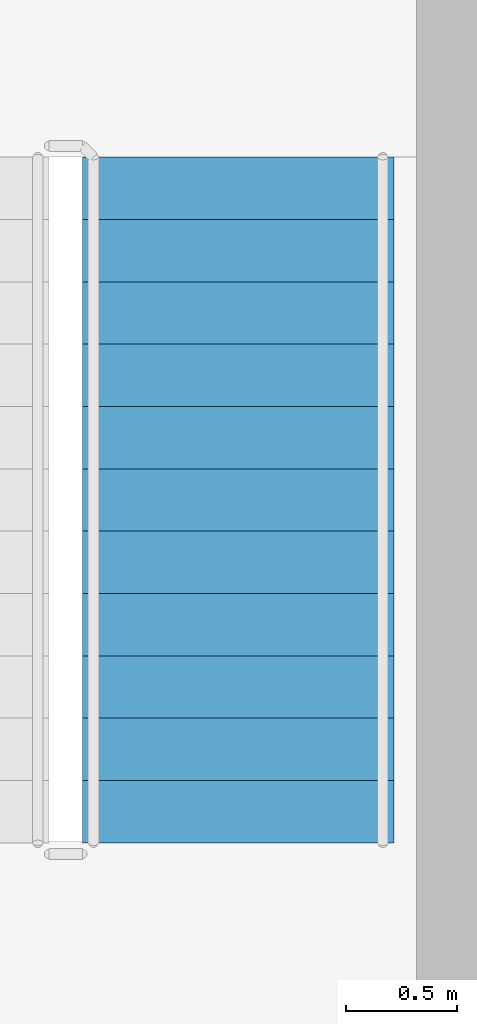
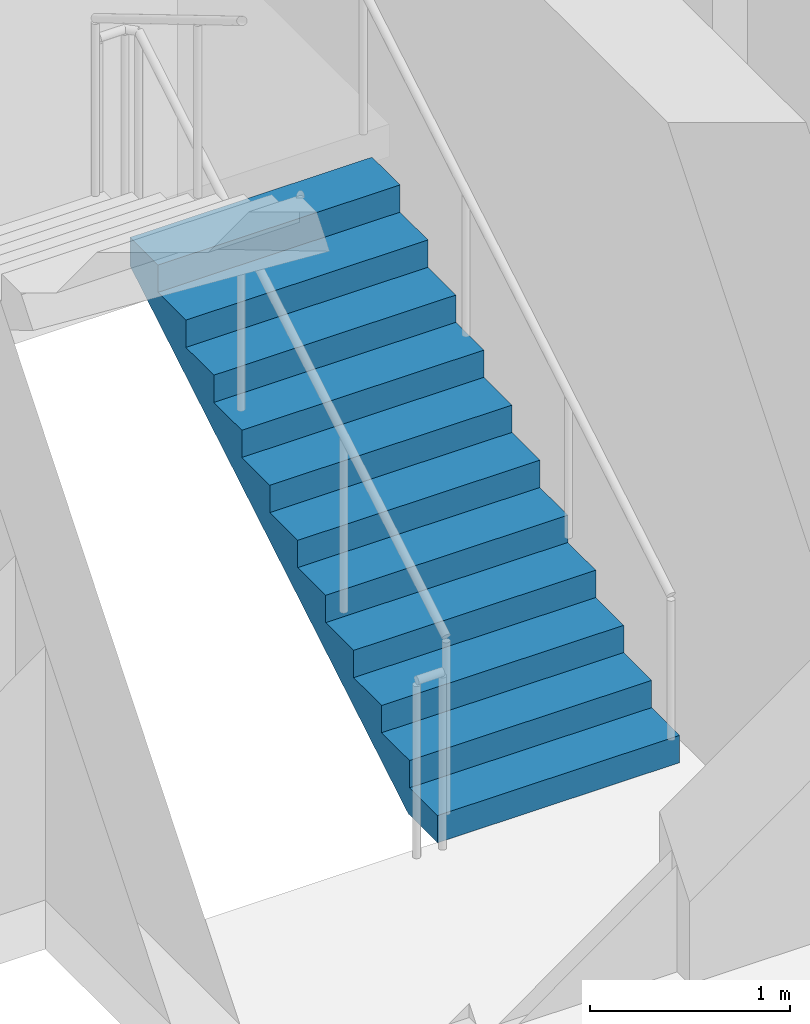
# One storey, part 11 of 16: 1 stair flight, 1 element without a shape of its own.
"""IFC4 building model written with IfcOpenShell, lengths in metres."""

import ifcopenshell
import ifcopenshell.guid

model = None  # the IFC model being written
_history = None  # IfcOwnerHistory: only IFC2X3 demands one
_inside = {}  # id of a spatial element -> (the spatial element, [elements in it])
_under = {}  # id of a project, library or spatial element -> (it, [spatial elements below it])
_declared = {}  # id of a project -> (the project, [libraries it declares])
_typed = {}  # id of a type object -> (the type object, [elements of that type])
_made_of = {}  # id of a material, layer set ... -> (it, [elements and type objects made of it])


def new_model(schema):
    """Start an empty IFC model of exactly this schema.

    Asked for "IFC4X3", IfcOpenShell would pick the latest addendum, in which some entities
    have other attributes; the version numbers below select the first issue.
    IFC2X3 requires an IfcOwnerHistory on every rooted entity: one is made here for all.
    """
    global model, _history
    if schema == "IFC4X3":
        model = ifcopenshell.file(schema_version=(4, 3, 0, 0))
    else:
        model = ifcopenshell.file(schema=schema)
    _inside.clear()
    _under.clear()
    _declared.clear()
    _typed.clear()
    _made_of.clear()
    _history = None
    if model.schema == "IFC2X3":
        org = make("IfcOrganization", Name="unknown")
        user = make(
            "IfcPersonAndOrganization",
            ThePerson=make("IfcPerson", FamilyName="unknown"),
            TheOrganization=org,
        )
        app = make(
            "IfcApplication",
            ApplicationDeveloper=org,
            Version="unknown",
            ApplicationFullName="unknown",
            ApplicationIdentifier="unknown",
        )
        _history = make(
            "IfcOwnerHistory",
            OwningUser=user,
            OwningApplication=app,
            ChangeAction="ADDED",
            CreationDate=0,
        )
    return model


def make(cls, **values):
    """One entity of the class cls with the attributes given. An attribute that is None is left unset."""
    return model.create_entity(
        cls, **{name: value for name, value in values.items() if value is not None}
    )


def rooted(cls, **values):
    """An entity with a GlobalId (a new one), such as an element, a storey or a relation."""
    return make(cls, GlobalId=ifcopenshell.guid.new(), OwnerHistory=_history, **values)


def si_unit(unit_type, name, prefix=None):
    """IfcSIUnit, for example si_unit("LENGTHUNIT", "METRE", prefix="MILLI")."""
    return make("IfcSIUnit", UnitType=unit_type, Prefix=prefix, Name=name)


def assignment(units):
    """IfcUnitAssignment: the units of a project."""
    return None if units is None else make("IfcUnitAssignment", Units=units)


def point(xyz):
    """IfcCartesianPoint."""
    return None if xyz is None else make("IfcCartesianPoint", Coordinates=xyz)


def direction(xyz):
    """IfcDirection."""
    return None if xyz is None else make("IfcDirection", DirectionRatios=xyz)


def frame(location, z_axis=None, x_axis=None):
    """IfcAxis2Placement3D, a coordinate frame: its origin and axes. An axis left out is left unset."""
    return make(
        "IfcAxis2Placement3D",
        Location=point(location),
        Axis=direction(z_axis),
        RefDirection=direction(x_axis),
    )


def origin():
    """The frame at (0, 0, 0) with its axes left unset."""
    return frame((0.0, 0.0, 0.0))


def place(relative_to, where):
    """IfcLocalPlacement: puts the frame where relative to a parent placement (None: the world)."""
    return make(
        "IfcLocalPlacement", PlacementRelTo=relative_to, RelativePlacement=where
    )


def context(
    kind, dimensions, precision=None, world=None, true_north=None, identifier=None
):
    """IfcGeometricRepresentationContext, for example the 3D "Model" context."""
    return make(
        "IfcGeometricRepresentationContext",
        ContextIdentifier=identifier,
        ContextType=kind,
        CoordinateSpaceDimension=dimensions,
        Precision=precision,
        WorldCoordinateSystem=world,
        TrueNorth=true_north,
    )


def subcontext(parent, identifier, kind, view, scale=None):
    """IfcGeometricRepresentationSubContext, for example "Body" below "Model"."""
    return make(
        "IfcGeometricRepresentationSubContext",
        ContextIdentifier=identifier,
        ContextType=kind,
        ParentContext=parent,
        TargetScale=scale,
        TargetView=view,
    )


def project(units=None, contexts=None):
    """IfcProject with its units and contexts."""
    return rooted(
        "IfcProject",
        Name="project",
        RepresentationContexts=contexts,
        UnitsInContext=assignment(units),
    )


def spatial(cls, under=None, at=None, **own):
    """A site, building, storey or space (cls), placed at a placement, below another one or the project."""
    s = rooted(cls, ObjectPlacement=at, **own)
    if under is not None:
        _under.setdefault(under.id(), (under, []))[1].append(s)
    return s


def polyline(points):
    """IfcPolyline through the points."""
    return make("IfcPolyline", Points=[point(p) for p in points])


def outline(outer, holes=None, kind="AREA"):
    """IfcArbitraryClosedProfileDef: a profile drawn as a closed curve; with holes, ...WithVoids."""
    if holes is None:
        return make("IfcArbitraryClosedProfileDef", ProfileType=kind, OuterCurve=outer)
    return make(
        "IfcArbitraryProfileDefWithVoids",
        ProfileType=kind,
        OuterCurve=outer,
        InnerCurves=holes,
    )


def extrude(swept, where, along, depth):
    """IfcExtrudedAreaSolid: the profile swept, set in the frame where, extruded along a direction by depth."""
    return make(
        "IfcExtrudedAreaSolid",
        SweptArea=swept,
        Position=where,
        ExtrudedDirection=direction(along),
        Depth=depth,
    )


def shape(context_of_items, identifier, shape_type, items):
    """IfcShapeRepresentation: the items that make up one representation, for example the "Body"."""
    return make(
        "IfcShapeRepresentation",
        ContextOfItems=context_of_items,
        RepresentationIdentifier=identifier,
        RepresentationType=shape_type,
        Items=items,
    )


def material(Name=None, Category=None):
    """IfcMaterial."""
    return make("IfcMaterial", Name=Name, Category=Category)


def made_of(thing, what):
    """Note that an element or type object is made of a material, layer set ...; save() writes the relation."""
    if what is not None:
        _made_of.setdefault(what.id(), (what, []))[1].append(thing)
    return thing


def type_object(cls, material=None, **own):
    """A type object (cls), such as IfcWallType, which elements share."""
    return made_of(rooted(cls, **own), material)


def element(
    cls,
    number,
    at=None,
    inside=None,
    cuts=None,
    type_object=None,
    material=None,
    context=None,
    identifier="Body",
    shape_type=None,
    held_by="IfcProductDefinitionShape",
    body=None,
    shapes=None,
    **own,
):
    """One element of the class cls, such as IfcWall. Its Tag is "e" and its number.

    at: its placement. inside: the storey or other place that contains it. cuts: it is an
    opening in that element (IfcRelVoidsElement). A single representation is given by context,
    identifier, shape_type and body (its items); several are given by shapes. held_by: the class
    of the entity that holds the representations. save() writes the other relations.
    """
    e = rooted(cls, Tag="e%d" % number, ObjectPlacement=at, **own)
    if body is not None:
        shapes = [shape(context, identifier, shape_type, body)]
    if shapes is not None:
        e.Representation = make(held_by, Representations=shapes)
    if inside is not None:
        _inside.setdefault(inside.id(), (inside, []))[1].append(e)
    if cuts is not None:
        rooted(
            "IfcRelVoidsElement", RelatingBuildingElement=cuts, RelatedOpeningElement=e
        )
    if type_object is not None:
        _typed.setdefault(type_object.id(), (type_object, []))[1].append(e)
    return made_of(e, material)


def aggregate(whole, parts):
    """IfcRelAggregates: a whole, such as a stair, and the parts it consists of."""
    return rooted("IfcRelAggregates", RelatingObject=whole, RelatedObjects=parts)


def save(model, path):
    """Write the relations noted so far, then the file.

    IfcRelAggregates (storeys below a building ...), IfcRelContainedInSpatialStructure (elements
    in a storey), IfcRelDefinesByType, IfcRelAssociatesMaterial and IfcRelDeclares: one each for
    every whole, place, type object, material and project.
    """
    for whole, parts in _under.values():
        aggregate(whole, parts)
    for where, things in _inside.values():
        rooted(
            "IfcRelContainedInSpatialStructure",
            RelatedElements=things,
            RelatingStructure=where,
        )
    for kind, things in _typed.values():
        rooted("IfcRelDefinesByType", RelatedObjects=things, RelatingType=kind)
    for what, things in _made_of.values():
        rooted("IfcRelAssociatesMaterial", RelatedObjects=things, RelatingMaterial=what)
    for by, libraries in _declared.values():
        rooted("IfcRelDeclares", RelatingContext=by, RelatedDefinitions=libraries)
    model.write(path)


model = new_model("IFC4")

# Units and contexts
model_context = context("Model", 3, precision=1e-05, world=origin(), true_north=direction((0.0, 1.0)))
body_context = subcontext(model_context, "Body", "Model", "MODEL_VIEW")
ifc_project = project(units=[si_unit("LENGTHUNIT", "METRE"), si_unit("AREAUNIT", "SQUARE_METRE"), si_unit("VOLUMEUNIT", "CUBIC_METRE"), si_unit("PLANEANGLEUNIT", "RADIAN"), si_unit("MASSUNIT", "GRAM", prefix="KILO")], contexts=[model_context])

# Site, building, storey
site_placement = place(None, origin())
site = spatial("IfcSite", under=ifc_project, at=site_placement, CompositionType="ELEMENT")
building_placement = place(site_placement, origin())
building = spatial("IfcBuilding", under=site, at=building_placement, Name="Mopane Tessera Tower", CompositionType="ELEMENT")
storey_placement = place(building_placement, frame((0.0, 0.0, 193.0)))
storey = spatial("IfcBuildingStorey", under=building, at=storey_placement, Name="L40", CompositionType="ELEMENT", Elevation=193.0)

# Stair, stair flight
ifc_material_1 = material(Name="Concrete C50/60", Category="concrete")
stair_type = type_object("IfcStairType", Name="Escape stair 1400 mm, riser 167 mm", PredefinedType="HALF_TURN_STAIR", material=ifc_material_1)
stair_placement = place(storey_placement, origin())
stair = element("IfcStair", 1, at=stair_placement, inside=storey, type_object=stair_type, Name="L40 Escape stair north-east", PredefinedType="HALF_TURN_STAIR")
ifc_material_2 = material(Name="Concrete C50/60", Category="concrete")
stair_flight_type = type_object("IfcStairFlightType", Name="Escape stair flight 1400 mm", PredefinedType="STRAIGHT", material=ifc_material_2)
stair_flight_placement = place(storey_placement, frame((13.0, 7.699951171875, 0.0), z_axis=(0.0, 0.0, 1.0), x_axis=(0.0, 1.0, 0.0)))
stair_flight = element("IfcStairFlight", 2, at=stair_flight_placement, type_object=stair_flight_type, Name="ST4 flight 1", NumberOfRisers=12, NumberOfTreads=11, PredefinedType="STRAIGHT", RiserHeight=0.166666667, TreadLength=0.28, context=body_context, shape_type="SweptSolid", body=[
    extrude(outline(polyline([(0.0, 0.0), (0.0, 0.166748046875), (0.280029296875, 0.166748046875), (0.280029296875, 0.333251953125), (0.56005859375, 0.333251953125), (0.56005859375, 0.5), (0.840087890625, 0.5), (0.840087890625, 0.666748046875), (1.1201171875, 0.666748046875), (1.1201171875, 0.833251953125), (1.39990234375, 0.833251953125), (1.39990234375, 1.0), (1.679931640625, 1.0), (1.679931640625, 1.166748046875), (1.9599609375, 1.166748046875), (1.9599609375, 1.333251953125), (2.239990234375, 1.333251953125), (2.239990234375, 1.5), (2.52001953125, 1.5), (2.52001953125, 1.666748046875), (2.800048828125, 1.666748046875), (2.800048828125, 1.833251953125), (3.080078125, 1.833251953125), (3.080078125, 2.0), (3.080078125, 1.658935546875), (0.29296875, 0.0), (0.0, 0.0)])), frame((0.0, 0.699951171875, 0.0), z_axis=(0.0, -1.0, 0.0), x_axis=(1.0, 0.0, 0.0)), (0.0, 0.0, 1.0), 1.39990234375),
])
aggregate(stair, [stair_flight])

save(model, "model.ifc")
